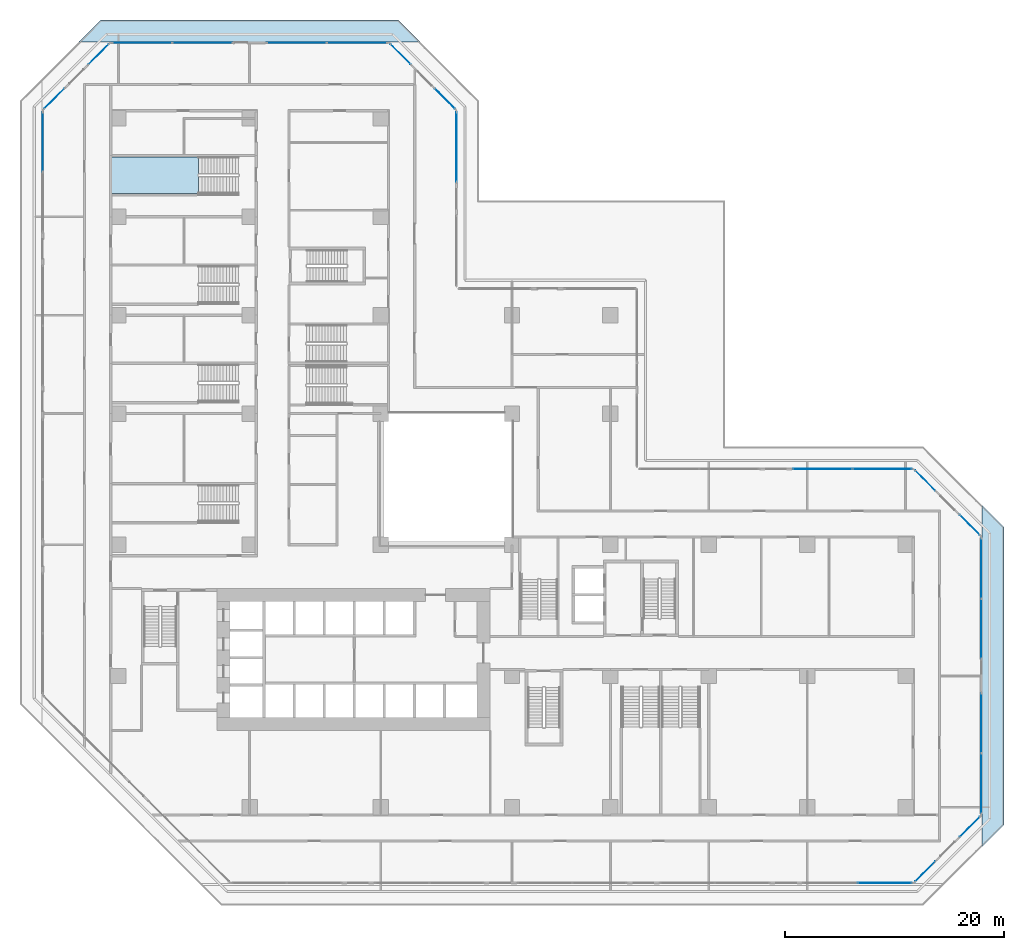
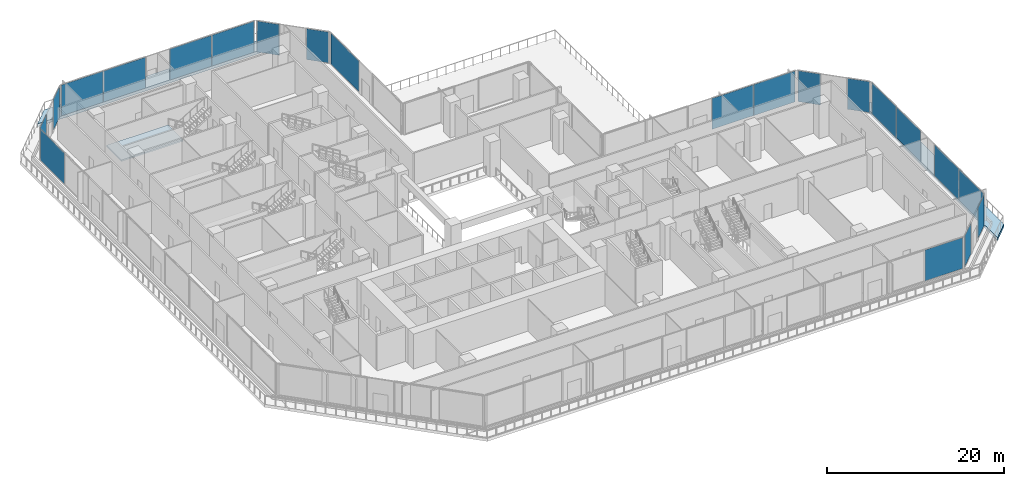
# One storey, part 10 of 25: 21 plates, 3 slabs, 17 elements without a shape of their own.
"""IFC4 building model written with IfcOpenShell, lengths in metres."""

from ifc_helpers import new_model, si_unit, direction, frame, origin, origin_2d, place, context, subcontext, project, spatial, polyline, rectangle, outline, extrude, material, layer, layer_set, type_object, element, aggregate, save


model = new_model("IFC4")

# Units and contexts
model_context = context("Model", 3, precision=1e-05, world=origin(), true_north=direction((0.0, 1.0)))
body_context = subcontext(model_context, "Body", "Model", "MODEL_VIEW")
ifc_project = project(units=[si_unit("LENGTHUNIT", "METRE"), si_unit("AREAUNIT", "SQUARE_METRE"), si_unit("VOLUMEUNIT", "CUBIC_METRE"), si_unit("PLANEANGLEUNIT", "RADIAN"), si_unit("MASSUNIT", "GRAM", prefix="KILO")], contexts=[model_context])

# Site, building, storey
site_placement = place(None, origin())
site = spatial("IfcSite", under=ifc_project, at=site_placement, CompositionType="ELEMENT")
building_placement = place(site_placement, origin())
building = spatial("IfcBuilding", under=site, at=building_placement, Name="Chenar Terraces", CompositionType="ELEMENT")
storey_placement = place(building_placement, frame((0.0, 0.0, 21.60009765625)))
storey = spatial("IfcBuildingStorey", under=building, at=storey_placement, Name="L04", CompositionType="ELEMENT", Elevation=21.60009765625)

# Stair, slab
ifc_material_1 = material(Name="Reinforced concrete C40/50", Category="concrete")
stair_type = type_object("IfcStairType", Name="Core stair 1400 half-turn", PredefinedType="HALF_TURN_STAIR", material=ifc_material_1)
placement_1 = place(storey_placement, origin())
stair = element("IfcStair", 1, at=placement_1, inside=storey, type_object=stair_type, Name="L04 Exit stair PS3", PredefinedType="HALF_TURN_STAIR")
ifc_material_2 = material(Name="Reinforced concrete C40/50", Category="concrete")
ifc_layer_1 = layer(ifc_material_2, 0.199951171875)
ifc_layer_set_1 = layer_set([ifc_layer_1], Name="Reinforced concrete C40/50")
slab_type_1 = type_object("IfcSlabType", Name="Core stair landing 200", PredefinedType="LANDING", material=ifc_layer_set_1)
slab_1_placement = place(storey_placement, frame((0.0, 0.0, 2.199951171875)))
slab_1 = element("IfcSlab", 2, at=slab_1_placement, type_object=slab_type_1, Name="PS3 landing 1", PredefinedType="LANDING", context=body_context, shape_type="SweptSolid", body=[
    extrude(outline(polyline([(7.344970703125, 59.489990234375), (-0.699951171875, 59.489990234375), (-0.699951171875, 56.110107421875), (7.344970703125, 56.110107421875), (7.344970703125, 59.489990234375)])), origin(), (0.0, 0.0, 1.0), 0.199951171875),
])
aggregate(stair, [slab_1])

# Curtain wall, plate
ifc_material_3 = material(Name="Aluminium framed glazing", Category="aluminium")
ifc_layer_2 = layer(ifc_material_3, 0.14990234375)
ifc_layer_set_2 = layer_set([ifc_layer_2], Name="Aluminium framed glazing")
curtain_wall_type = type_object("IfcCurtainWallType", Name="School curtain wall", PredefinedType="NOTDEFINED", material=ifc_layer_set_2)
curtain_wall_1 = element("IfcCurtainWall", 3, at=placement_1, inside=storey, type_object=curtain_wall_type, Name="School curtain wall", PredefinedType="NOTDEFINED")
ifc_material_4 = material(Name="Low emissivity laminated glass, solar control coating", Category="glass")
ifc_layer_3 = layer(ifc_material_4, 0.031982421875)
ifc_layer_set_3 = layer_set([ifc_layer_3], Name="Low emissivity laminated glass, solar control coating")
plate_type = type_object("IfcPlateType", Name="School glazing panel 32", PredefinedType="CURTAIN_PANEL", material=ifc_layer_set_3)
plate_1_placement = place(storey_placement, frame((30.925048828125, 60.389892578125, 0.06982421875), z_axis=(0.0, 0.0, 1.0), x_axis=(0.0, 1.0, 0.0)))
plate_1 = element("IfcPlate", 4, at=plate_1_placement, type_object=plate_type, Name="CW2-01c1 panel 1.1", PredefinedType="CURTAIN_PANEL", context=body_context, shape_type="SweptSolid", body=[
    extrude(rectangle(XDim=6.336669921875, YDim=0.031982421875, at=origin_2d()), origin(), (0.0, 0.0, 1.0), 4.260009765625),
])
aggregate(curtain_wall_1, [plate_1])

curtain_wall_2 = element("IfcCurtainWall", 5, at=placement_1, inside=storey, type_object=curtain_wall_type, Name="School curtain wall", PredefinedType="NOTDEFINED")
plate_2_placement = place(storey_placement, frame((29.873291015625, 64.798828125, 0.06982421875), z_axis=(0.0, 0.0, 1.0), x_axis=(-0.707106781187, 0.707106781187, 0.0)))
plate_2 = element("IfcPlate", 6, at=plate_2_placement, type_object=plate_type, Name="CW2-02c0 panel 1.1", PredefinedType="CURTAIN_PANEL", context=body_context, shape_type="SweptSolid", body=[
    extrude(rectangle(XDim=2.596923828125, YDim=0.031982421875, at=origin_2d()), origin(), (0.0, 0.0, 1.0), 4.260009765625),
])
aggregate(curtain_wall_2, [plate_2])

curtain_wall_3 = element("IfcCurtainWall", 7, at=placement_1, inside=storey, type_object=curtain_wall_type, Name="School curtain wall", PredefinedType="NOTDEFINED")
plate_3_placement = place(storey_placement, frame((25.798828125, 68.873291015625, 0.06982421875), z_axis=(0.0, 0.0, 1.0), x_axis=(-0.707106781187, 0.707106781187, 0.0)))
plate_3 = element("IfcPlate", 8, at=plate_3_placement, type_object=plate_type, Name="CW2-02c1 panel 1.1", PredefinedType="CURTAIN_PANEL", context=body_context, shape_type="SweptSolid", body=[
    extrude(rectangle(XDim=2.596923828125, YDim=0.031982421875, at=origin_2d()), origin(), (0.0, 0.0, 1.0), 4.260009765625),
])
aggregate(curtain_wall_3, [plate_3])

# Curtain wall, plates
curtain_wall_4 = element("IfcCurtainWall", 9, at=placement_1, inside=storey, type_object=curtain_wall_type, Name="School curtain wall", PredefinedType="NOTDEFINED")
plate_4_placement = place(storey_placement, frame((21.831787109375, 69.925048828125, 0.06982421875), z_axis=(0.0, 0.0, 1.0), x_axis=(-1.0, 0.0, 0.0)))
plate_4 = element("IfcPlate", 10, at=plate_4_placement, type_object=plate_type, Name="CW2-03c0 panel 1.1", PredefinedType="CURTAIN_PANEL", context=body_context, shape_type="SweptSolid", body=[
    extrude(rectangle(XDim=5.452880859375, YDim=0.031982421875, at=origin_2d()), origin(), (0.0, 0.0, 1.0), 4.260009765625),
])
plate_5_placement = place(storey_placement, frame((16.308837890625, 69.925048828125, 0.06982421875), z_axis=(0.0, 0.0, 1.0), x_axis=(-1.0, 0.0, 0.0)))
plate_5 = element("IfcPlate", 11, at=plate_5_placement, type_object=plate_type, Name="CW2-03c0 panel 2.1", PredefinedType="CURTAIN_PANEL", context=body_context, shape_type="SweptSolid", body=[
    extrude(rectangle(XDim=5.452880859375, YDim=0.031982421875, at=origin_2d()), origin(), (0.0, 0.0, 1.0), 4.260009765625),
])
aggregate(curtain_wall_4, [plate_4, plate_5])

curtain_wall_5 = element("IfcCurtainWall", 12, at=placement_1, inside=storey, type_object=curtain_wall_type, Name="School curtain wall", PredefinedType="NOTDEFINED")
plate_6_placement = place(storey_placement, frame((7.691162109375, 69.925048828125, 0.06982421875), z_axis=(0.0, 0.0, 1.0), x_axis=(-1.0, 0.0, 0.0)))
plate_6 = element("IfcPlate", 13, at=plate_6_placement, type_object=plate_type, Name="CW2-03c1 panel 1.1", PredefinedType="CURTAIN_PANEL", context=body_context, shape_type="SweptSolid", body=[
    extrude(rectangle(XDim=5.452880859375, YDim=0.031982421875, at=origin_2d()), origin(), (0.0, 0.0, 1.0), 4.260009765625),
])
plate_7_placement = place(storey_placement, frame((2.168212890625, 69.925048828125, 0.06982421875), z_axis=(0.0, 0.0, 1.0), x_axis=(-1.0, 0.0, 0.0)))
plate_7 = element("IfcPlate", 14, at=plate_7_placement, type_object=plate_type, Name="CW2-03c1 panel 2.1", PredefinedType="CURTAIN_PANEL", context=body_context, shape_type="SweptSolid", body=[
    extrude(rectangle(XDim=5.452880859375, YDim=0.031982421875, at=origin_2d()), origin(), (0.0, 0.0, 1.0), 4.260009765625),
])
aggregate(curtain_wall_5, [plate_6, plate_7])

# Curtain wall, plate
curtain_wall_6 = element("IfcCurtainWall", 15, at=placement_1, inside=storey, type_object=curtain_wall_type, Name="School curtain wall", PredefinedType="NOTDEFINED")
plate_8_placement = place(storey_placement, frame((-1.798828125, 68.873291015625, 0.06982421875), z_axis=(0.0, 0.0, 1.0), x_axis=(-0.707106781187, -0.707106781187, 0.0)))
plate_8 = element("IfcPlate", 16, at=plate_8_placement, type_object=plate_type, Name="CW2-04c0 panel 1.1", PredefinedType="CURTAIN_PANEL", context=body_context, shape_type="SweptSolid", body=[
    extrude(rectangle(XDim=2.596923828125, YDim=0.031982421875, at=origin_2d()), origin(), (0.0, 0.0, 1.0), 4.260009765625),
])
aggregate(curtain_wall_6, [plate_8])

curtain_wall_7 = element("IfcCurtainWall", 17, at=placement_1, inside=storey, type_object=curtain_wall_type, Name="School curtain wall", PredefinedType="NOTDEFINED")
plate_9_placement = place(storey_placement, frame((-5.873291015625, 64.798828125, 0.06982421875), z_axis=(0.0, 0.0, 1.0), x_axis=(-0.707106781187, -0.707106781187, 0.0)))
plate_9 = element("IfcPlate", 18, at=plate_9_placement, type_object=plate_type, Name="CW2-04c1 panel 1.1", PredefinedType="CURTAIN_PANEL", context=body_context, shape_type="SweptSolid", body=[
    extrude(rectangle(XDim=2.596923828125, YDim=0.031982421875, at=origin_2d()), origin(), (0.0, 0.0, 1.0), 4.260009765625),
])
aggregate(curtain_wall_7, [plate_9])

curtain_wall_8 = element("IfcCurtainWall", 19, at=placement_1, inside=storey, type_object=curtain_wall_type, Name="School curtain wall", PredefinedType="NOTDEFINED")
plate_10_placement = place(storey_placement, frame((-6.925048828125, 60.847900390625, 0.06982421875), z_axis=(0.0, 0.0, 1.0), x_axis=(0.0, -1.0, 0.0)))
plate_10 = element("IfcPlate", 20, at=plate_10_placement, type_object=plate_type, Name="CW2-05c0 panel 1.1", PredefinedType="CURTAIN_PANEL", context=body_context, shape_type="SweptSolid", body=[
    extrude(rectangle(XDim=5.4208984375, YDim=0.031982421875, at=origin_2d()), origin(), (0.0, 0.0, 1.0), 4.260009765625),
])
aggregate(curtain_wall_8, [plate_10])

curtain_wall_9 = element("IfcCurtainWall", 21, at=placement_1, inside=storey, type_object=curtain_wall_type, Name="School curtain wall", PredefinedType="NOTDEFINED")
plate_11_placement = place(storey_placement, frame((70.10107421875, -6.925048828125, 0.06982421875), z_axis=(0.0, 0.0, 1.0), x_axis=(1.0, 0.0, 0.0)))
plate_11 = element("IfcPlate", 22, at=plate_11_placement, type_object=plate_type, Name="CW2-07c4 panel 2.1", PredefinedType="CURTAIN_PANEL", context=body_context, shape_type="SweptSolid", body=[
    extrude(rectangle(XDim=4.914306640625, YDim=0.031982421875, at=origin_2d()), origin(), (0.0, 0.0, 1.0), 4.260009765625),
])
aggregate(curtain_wall_9, [plate_11])

curtain_wall_10 = element("IfcCurtainWall", 23, at=placement_1, inside=storey, type_object=curtain_wall_type, Name="School curtain wall", PredefinedType="NOTDEFINED")
plate_12_placement = place(storey_placement, frame((73.798828125, -5.873291015625, 0.06982421875), z_axis=(0.0, 0.0, 1.0), x_axis=(0.707106781187, 0.707106781187, 0.0)))
plate_12 = element("IfcPlate", 24, at=plate_12_placement, type_object=plate_type, Name="CW2-08c0 panel 1.1", PredefinedType="CURTAIN_PANEL", context=body_context, shape_type="SweptSolid", body=[
    extrude(rectangle(XDim=2.596923828125, YDim=0.031982421875, at=origin_2d()), origin(), (0.0, 0.0, 1.0), 4.260009765625),
])
aggregate(curtain_wall_10, [plate_12])

curtain_wall_11 = element("IfcCurtainWall", 25, at=placement_1, inside=storey, type_object=curtain_wall_type, Name="School curtain wall", PredefinedType="NOTDEFINED")
plate_13_placement = place(storey_placement, frame((77.873291015625, -1.798828125, 0.06982421875), z_axis=(0.0, 0.0, 1.0), x_axis=(0.707106781187, 0.707106781187, 0.0)))
plate_13 = element("IfcPlate", 26, at=plate_13_placement, type_object=plate_type, Name="CW2-08c1 panel 1.1", PredefinedType="CURTAIN_PANEL", context=body_context, shape_type="SweptSolid", body=[
    extrude(rectangle(XDim=2.596923828125, YDim=0.031982421875, at=origin_2d()), origin(), (0.0, 0.0, 1.0), 4.260009765625),
])
aggregate(curtain_wall_11, [plate_13])

# Curtain wall, plates
curtain_wall_12 = element("IfcCurtainWall", 27, at=placement_1, inside=storey, type_object=curtain_wall_type, Name="School curtain wall", PredefinedType="NOTDEFINED")
plate_14_placement = place(storey_placement, frame((78.925048828125, 2.168212890625, 0.06982421875), z_axis=(0.0, 0.0, 1.0), x_axis=(0.0, 1.0, 0.0)))
plate_14 = element("IfcPlate", 28, at=plate_14_placement, type_object=plate_type, Name="CW2-09c0 panel 1.1", PredefinedType="CURTAIN_PANEL", context=body_context, shape_type="SweptSolid", body=[
    extrude(rectangle(XDim=5.452880859375, YDim=0.031982421875, at=origin_2d()), origin(), (0.0, 0.0, 1.0), 4.260009765625),
])
plate_15_placement = place(storey_placement, frame((78.925048828125, 7.691162109375, 0.06982421875), z_axis=(0.0, 0.0, 1.0), x_axis=(0.0, 1.0, 0.0)))
plate_15 = element("IfcPlate", 29, at=plate_15_placement, type_object=plate_type, Name="CW2-09c0 panel 2.1", PredefinedType="CURTAIN_PANEL", context=body_context, shape_type="SweptSolid", body=[
    extrude(rectangle(XDim=5.452880859375, YDim=0.031982421875, at=origin_2d()), origin(), (0.0, 0.0, 1.0), 4.260009765625),
])
aggregate(curtain_wall_12, [plate_14, plate_15])

curtain_wall_13 = element("IfcCurtainWall", 30, at=placement_1, inside=storey, type_object=curtain_wall_type, Name="School curtain wall", PredefinedType="NOTDEFINED")
plate_16_placement = place(storey_placement, frame((78.925048828125, 16.308837890625, 0.06982421875), z_axis=(0.0, 0.0, 1.0), x_axis=(0.0, 1.0, 0.0)))
plate_16 = element("IfcPlate", 31, at=plate_16_placement, type_object=plate_type, Name="CW2-09c1 panel 1.1", PredefinedType="CURTAIN_PANEL", context=body_context, shape_type="SweptSolid", body=[
    extrude(rectangle(XDim=5.452880859375, YDim=0.031982421875, at=origin_2d()), origin(), (0.0, 0.0, 1.0), 4.260009765625),
])
plate_17_placement = place(storey_placement, frame((78.925048828125, 21.831787109375, 0.06982421875), z_axis=(0.0, 0.0, 1.0), x_axis=(0.0, 1.0, 0.0)))
plate_17 = element("IfcPlate", 32, at=plate_17_placement, type_object=plate_type, Name="CW2-09c1 panel 2.1", PredefinedType="CURTAIN_PANEL", context=body_context, shape_type="SweptSolid", body=[
    extrude(rectangle(XDim=5.452880859375, YDim=0.031982421875, at=origin_2d()), origin(), (0.0, 0.0, 1.0), 4.260009765625),
])
aggregate(curtain_wall_13, [plate_16, plate_17])

# Curtain wall, plate
curtain_wall_14 = element("IfcCurtainWall", 33, at=placement_1, inside=storey, type_object=curtain_wall_type, Name="School curtain wall", PredefinedType="NOTDEFINED")
plate_18_placement = place(storey_placement, frame((77.873291015625, 25.798828125, 0.06982421875), z_axis=(0.0, 0.0, 1.0), x_axis=(-0.707106781187, 0.707106781187, 0.0)))
plate_18 = element("IfcPlate", 34, at=plate_18_placement, type_object=plate_type, Name="CW2-10c0 panel 1.1", PredefinedType="CURTAIN_PANEL", context=body_context, shape_type="SweptSolid", body=[
    extrude(rectangle(XDim=2.596923828125, YDim=0.031982421875, at=origin_2d()), origin(), (0.0, 0.0, 1.0), 4.260009765625),
])
aggregate(curtain_wall_14, [plate_18])

curtain_wall_15 = element("IfcCurtainWall", 35, at=placement_1, inside=storey, type_object=curtain_wall_type, Name="School curtain wall", PredefinedType="NOTDEFINED")
plate_19_placement = place(storey_placement, frame((73.798828125, 29.873291015625, 0.06982421875), z_axis=(0.0, 0.0, 1.0), x_axis=(-0.707106781187, 0.707106781187, 0.0)))
plate_19 = element("IfcPlate", 36, at=plate_19_placement, type_object=plate_type, Name="CW2-10c1 panel 1.1", PredefinedType="CURTAIN_PANEL", context=body_context, shape_type="SweptSolid", body=[
    extrude(rectangle(XDim=2.596923828125, YDim=0.031982421875, at=origin_2d()), origin(), (0.0, 0.0, 1.0), 4.260009765625),
])
aggregate(curtain_wall_15, [plate_19])

# Curtain wall, plates
curtain_wall_16 = element("IfcCurtainWall", 37, at=placement_1, inside=storey, type_object=curtain_wall_type, Name="School curtain wall", PredefinedType="NOTDEFINED")
plate_20_placement = place(storey_placement, frame((69.866455078125, 30.925048828125, 0.06982421875), z_axis=(0.0, 0.0, 1.0), x_axis=(-1.0, 0.0, 0.0)))
plate_20 = element("IfcPlate", 38, at=plate_20_placement, type_object=plate_type, Name="CW2-11c0 panel 1.1", PredefinedType="CURTAIN_PANEL", context=body_context, shape_type="SweptSolid", body=[
    extrude(rectangle(XDim=5.38330078125, YDim=0.031982421875, at=origin_2d()), origin(), (0.0, 0.0, 1.0), 4.260009765625),
])
plate_21_placement = place(storey_placement, frame((64.413330078125, 30.925048828125, 0.06982421875), z_axis=(0.0, 0.0, 1.0), x_axis=(-1.0, 0.0, 0.0)))
plate_21 = element("IfcPlate", 39, at=plate_21_placement, type_object=plate_type, Name="CW2-11c0 panel 2.1", PredefinedType="CURTAIN_PANEL", context=body_context, shape_type="SweptSolid", body=[
    extrude(rectangle(XDim=5.38330078125, YDim=0.031982421875, at=origin_2d()), origin(), (0.0, 0.0, 1.0), 4.260009765625),
])
aggregate(curtain_wall_16, [plate_20, plate_21])

# Slabs
ifc_material_5 = material(Name="Concrete C40/50", Category="concrete")
ifc_layer_4 = layer(ifc_material_5, 0.39990234375)
ifc_layer_set_4 = layer_set([ifc_layer_4], Name="Concrete C40/50")
slab_type_2 = type_object("IfcSlabType", Name="Terrace slab 400 Concrete C40/50", PredefinedType="FLOOR", material=ifc_layer_set_4)
placement_2 = place(storey_placement, frame((0.0, 0.0, -0.400146484375)))
element("IfcSlab", 40, at=placement_2, inside=storey, type_object=slab_type_2, Name="Terrace slab L04", PredefinedType="FLOOR", context=body_context, shape_type="SweptSolid", body=[
    extrude(outline(polyline([(81.0, 25.606689453125), (81.0, -1.606689453125), (79.0, -3.606689453125), (79.0, -0.7783203125), (79.0, 24.7783203125), (79.0, 27.606689453125), (81.0, 25.606689453125)])), origin(), (0.0, 0.0, 1.0), 0.400146484375),
])
element("IfcSlab", 41, at=placement_2, inside=storey, type_object=slab_type_2, Name="Terrace slab L04 4.1", PredefinedType="FLOOR", context=body_context, shape_type="SweptSolid", body=[
    extrude(outline(polyline([(-1.606689453125, 72.0), (25.606689453125, 72.0), (27.606689453125, 70.0), (24.7783203125, 70.0), (-0.7783203125, 70.0), (-3.606689453125, 70.0), (-1.606689453125, 72.0)])), origin(), (0.0, 0.0, 1.0), 0.400146484375),
])

save(model, "model.ifc")
